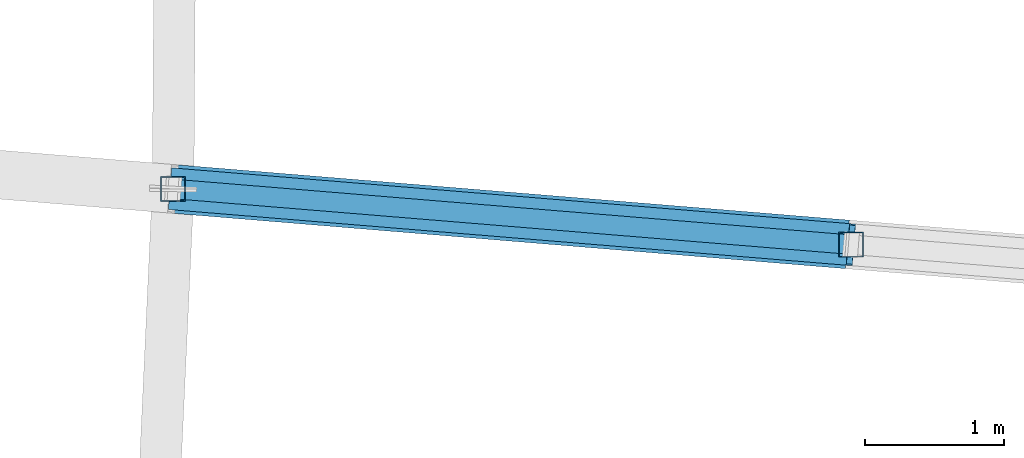
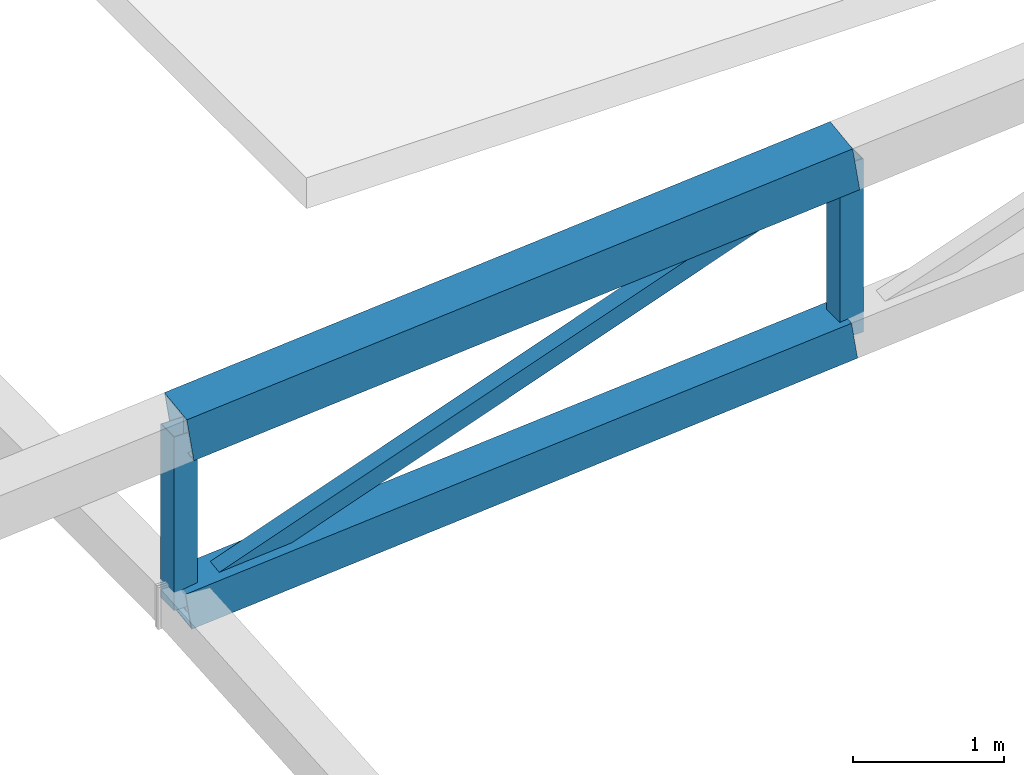
# One storey, part 50 of 188: 5 members.
"""IFC4 building model written with IfcOpenShell, lengths in metres."""

from ifc_helpers import new_model, si_unit, direction, frame, origin, origin_2d, place, context, subcontext, project, spatial, hollow_rectangle, extrude, material, material_profile, profile_set, type_object, element, save


model = new_model("IFC4")

# Units and contexts
model_context = context("Model", 3, precision=1e-05, world=origin(), true_north=direction((0.0, 1.0)))
body_context = subcontext(model_context, "Body", "Model", "MODEL_VIEW")
ifc_project = project(units=[si_unit("LENGTHUNIT", "METRE"), si_unit("AREAUNIT", "SQUARE_METRE"), si_unit("VOLUMEUNIT", "CUBIC_METRE"), si_unit("PLANEANGLEUNIT", "RADIAN"), si_unit("MASSUNIT", "GRAM", prefix="KILO")], contexts=[model_context])

# Site, building, storey
site_placement = place(None, origin())
site = spatial("IfcSite", under=ifc_project, at=site_placement, CompositionType="ELEMENT")
building_placement = place(site_placement, origin())
building = spatial("IfcBuilding", under=site, at=building_placement, Name="Meseta Stadium", CompositionType="ELEMENT")
storey_placement = place(building_placement, frame((0.0, 0.0, 30.0)))
storey = spatial("IfcBuildingStorey", under=building, at=storey_placement, Name="ROOF", CompositionType="ELEMENT", Elevation=30.0)

# Members
ifc_material_1 = material(Name="Steel S355", Category="steel")
ifc_material_profile_1 = material_profile(ifc_material_1, hollow_rectangle(XDim=0.139892578125, YDim=0.139892578125, WallThickness=0.0048828125, at=origin_2d()), Name="SHS 140x140x5")
ifc_profile_set_1 = profile_set([ifc_material_profile_1], Name="Steel S355")
member_type_1 = type_object("IfcMemberType", Name="SHS 140x140x5 diagonal", PredefinedType="BRACE", material=ifc_profile_set_1)
member_1_placement = place(storey_placement, frame((84.85400390625, -42.948486328125, 0.800048828125), z_axis=(0.913056189268, -0.075112137414, 0.400857283896), x_axis=(0.081987573325, 0.99663335175, 0.0)))
element("IfcMember", 1, at=member_1_placement, inside=storey, type_object=member_type_1, Name="ROOF TRUSS RT-01 diagonal", PredefinedType="BRACE", context=body_context, shape_type="SweptSolid", body=[
    extrude(hollow_rectangle(XDim=0.139892578125, YDim=0.139892578125, WallThickness=0.0048828125, at=origin_2d()), origin(), (0.0, 0.0, 1.0), 5.337158203125),
])
ifc_material_2 = material(Name="Steel S355", Category="steel")
ifc_material_profile_2 = material_profile(ifc_material_2, hollow_rectangle(XDim=0.179931640625, YDim=0.179931640625, WallThickness=0.00634765625, at=origin_2d()), Name="SHS 180x180x6.3")
ifc_profile_set_2 = profile_set([ifc_material_profile_2], Name="Steel S355")
member_type_2 = type_object("IfcMemberType", Name="SHS 180x180x6.3 post", PredefinedType="POST", material=ifc_profile_set_2)
for number, where, z_axis, x_axis, name in (
    (2, (84.85400390625, -42.948486328125, 0.800048828125), (0.0, 0.0, 1.0), (1.0, 0.0, 0.0), "ROOF TRUSS RT-01 post"),
    (3, (89.72705078125, -43.349365234375, 1.53369140625), (0.0, 0.0, 1.0), (1.0, 0.0, 0.0), "ROOF TRUSS RT-01 post"),
):
    element("IfcMember", number, at=place(storey_placement, frame(where, z_axis=z_axis, x_axis=x_axis)), inside=storey, type_object=member_type_2, Name=name, PredefinedType="POST", context=body_context, shape_type="SweptSolid", body=[
        extrude(hollow_rectangle(XDim=0.179931640625, YDim=0.179931640625, WallThickness=0.00634765625, at=origin_2d()), origin(), (0.0, 0.0, 1.0), 1.40576171875),
    ])
ifc_material_3 = material(Name="Steel S355", Category="steel")
ifc_material_profile_3 = material_profile(ifc_material_3, hollow_rectangle(XDim=0.300048828125, YDim=0.300048828125, WallThickness=0.010009765625, at=origin_2d()), Name="SHS 300x300x10")
ifc_profile_set_3 = profile_set([ifc_material_profile_3], Name="Steel S355")
member_type_3 = type_object("IfcMemberType", Name="SHS 300x300x10 bottom chord", PredefinedType="CHORD", material=ifc_profile_set_3)
member_2_placement = place(storey_placement, frame((84.85400390625, -42.948486328125, 0.800048828125), z_axis=(0.985600553192, -0.081079965348, 0.148383249616), x_axis=(0.081987573325, 0.99663335175, 0.0)))
element("IfcMember", 4, at=member_2_placement, inside=storey, type_object=member_type_3, Name="ROOF TRUSS RT-01 bottom chord", PredefinedType="CHORD", context=body_context, shape_type="SweptSolid", body=[
    extrude(hollow_rectangle(XDim=0.300048828125, YDim=0.300048828125, WallThickness=0.010009765625, at=origin_2d()), origin(), (0.0, 0.0, 1.0), 4.9443359375),
])
ifc_material_4 = material(Name="Steel S355", Category="steel")
ifc_material_profile_4 = material_profile(ifc_material_4, hollow_rectangle(XDim=0.35009765625, YDim=0.35009765625, WallThickness=0.010009765625, at=origin_2d()), Name="SHS 350x350x10")
ifc_profile_set_4 = profile_set([ifc_material_profile_4], Name="Steel S355")
member_type_4 = type_object("IfcMemberType", Name="SHS 350x350x10 top chord", PredefinedType="CHORD", material=ifc_profile_set_4)
member_3_placement = place(storey_placement, frame((84.85400390625, -42.948486328125, 2.205810546875), z_axis=(0.985600553192, -0.081079965348, 0.148383249616), x_axis=(0.081987573325, 0.99663335175, 0.0)))
element("IfcMember", 5, at=member_3_placement, inside=storey, type_object=member_type_4, Name="ROOF TRUSS RT-01 top chord", PredefinedType="CHORD", context=body_context, shape_type="SweptSolid", body=[
    extrude(hollow_rectangle(XDim=0.35009765625, YDim=0.35009765625, WallThickness=0.010009765625, at=origin_2d()), origin(), (0.0, 0.0, 1.0), 4.9443359375),
])

save(model, "model.ifc")
